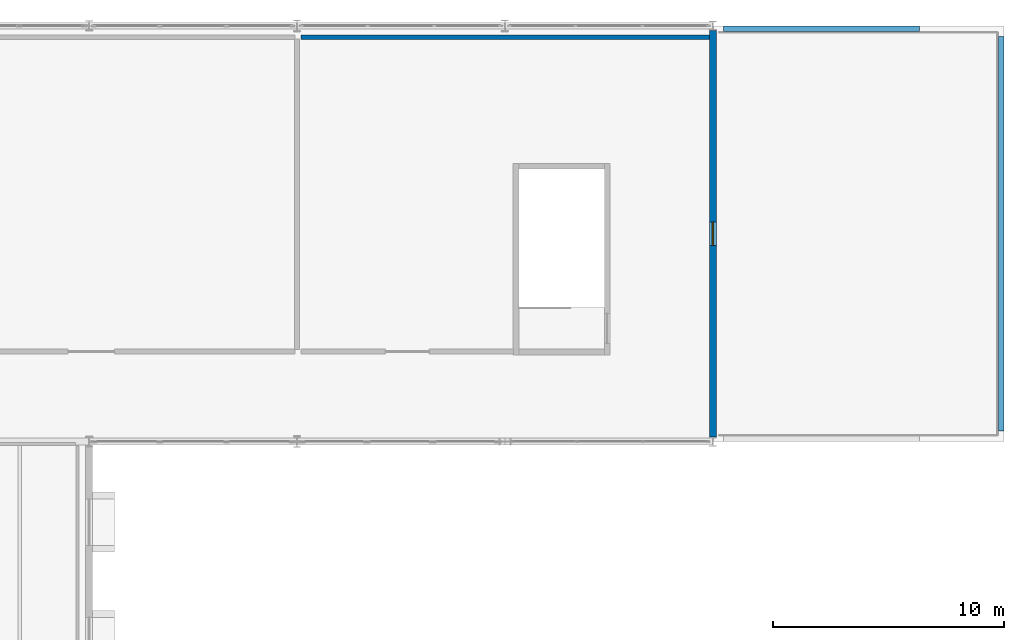
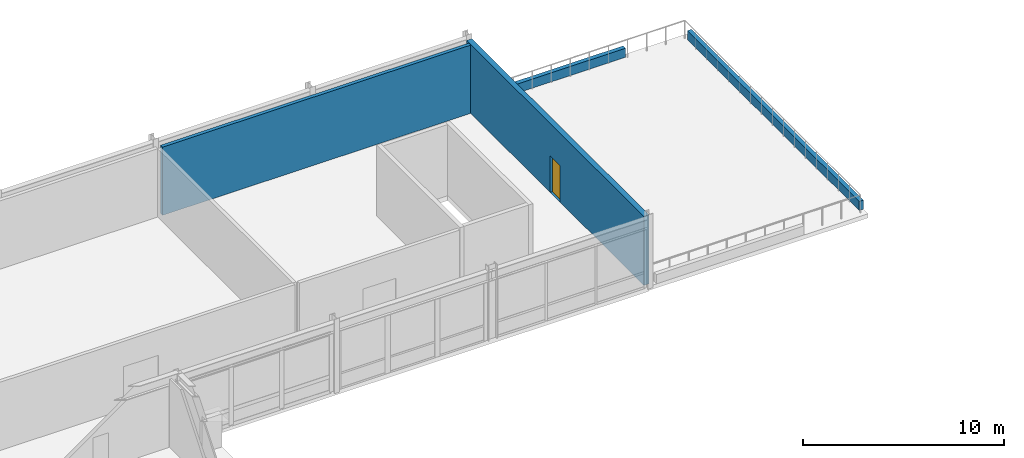
# One storey, part 62 of 67: 4 walls, 1 door, 1 opening.
"""IFC4 building model written with IfcOpenShell, lengths in metres."""

from ifc_helpers import new_model, si_unit, direction, frame, frame_2d, origin, place, context, subcontext, project, spatial, rectangle, extrude, material, layer, layer_set, type_object, element, fill, save


model = new_model("IFC4")

# Units and contexts
model_context = context("Model", 3, precision=1e-05, world=origin(), true_north=direction((0.0, 1.0)))
body_context = subcontext(model_context, "Body", "Model", "MODEL_VIEW")
ifc_project = project(units=[si_unit("LENGTHUNIT", "METRE"), si_unit("AREAUNIT", "SQUARE_METRE"), si_unit("VOLUMEUNIT", "CUBIC_METRE"), si_unit("PLANEANGLEUNIT", "RADIAN"), si_unit("MASSUNIT", "GRAM", prefix="KILO")], contexts=[model_context])

# Site, building, storey
site_placement = place(None, origin())
site = spatial("IfcSite", under=ifc_project, at=site_placement, CompositionType="ELEMENT")
building_placement = place(site_placement, origin())
building = spatial("IfcBuilding", under=site, at=building_placement, Name="Montelvaro Courts of Justice", CompositionType="ELEMENT")
storey_placement = place(building_placement, frame((0.0, 0.0, 18.89990234375)))
storey = spatial("IfcBuildingStorey", under=building, at=storey_placement, Name="L04", CompositionType="ELEMENT", Elevation=18.89990234375)

# Wall
ifc_material_1 = material(Name="Gypsum acoustic double stud with mineral wool")
ifc_layer_1 = layer(ifc_material_1, 0.199951171875)
ifc_layer_set_1 = layer_set([ifc_layer_1], Name="Gypsum acoustic double stud with mineral wool")
wall_type_1 = type_object("IfcWallType", Name="CourtAcousticWall_200", PredefinedType="PARTITIONING", material=ifc_layer_set_1)
wall_1_placement = place(storey_placement, frame((144.179931640625, 95.5, 0.0), z_axis=(0.0, 0.0, 1.0), x_axis=(1.0, 0.0, 0.0)))
element("IfcWall", 1, at=wall_1_placement, inside=storey, type_object=wall_type_1, Name="Interior Partition IW-01 (L04)", PredefinedType="PARTITIONING", context=body_context, shape_type="SweptSolid", body=[
    extrude(rectangle(XDim=17.675048828125, YDim=0.199951171875, at=frame_2d((8.83740234375, 0.0))), origin(), (0.0, 0.0, 1.0), 4.14013671875),
])

# Wall, opening, door
ifc_material_2 = material(Name="White mineral precast concrete C45/55", Category="concrete")
ifc_layer_2 = layer(ifc_material_2, 0.300048828125)
ifc_layer_set_2 = layer_set([ifc_layer_2], Name="White mineral precast concrete C45/55")
wall_type_2 = type_object("IfcWallType", Name="ExtWall_GFRC_300", PredefinedType="SOLIDWALL", material=ifc_layer_set_2)
wall_2_placement = place(storey_placement, frame((162.0, 78.197998046875, 0.0), z_axis=(0.0, 0.0, 1.0), x_axis=(0.0, 1.0, 0.0)))
wall_2 = element("IfcWall", 2, at=wall_2_placement, inside=storey, type_object=wall_type_2, Name="Exterior Facade Wall EW-02 (L04)", PredefinedType="SOLIDWALL", context=body_context, shape_type="SweptSolid", body=[
    extrude(rectangle(XDim=17.60400390625, YDim=0.300048828125, at=frame_2d((8.802001953125, 0.0))), origin(), (0.0, 0.0, 1.0), 4.18017578125),
])
opening_placement = place(wall_2_placement, frame((8.302001953125, 0.0, 0.0)))
opening = element("IfcOpeningElement", 3, at=opening_placement, cuts=wall_2, Name="Opening DT-L04-01", PredefinedType="OPENING", context=body_context, shape_type="SweptSolid", body=[
    extrude(rectangle(XDim=1.0, YDim=2.199951171875, at=frame_2d((0.5, 1.10009765625))), frame((0.0, 0.1650390625, 0.0), z_axis=(0.0, -1.0, 0.0), x_axis=(1.0, 0.0, 0.0)), (0.0, 0.0, 1.0), 0.329833984375),
])
ifc_material_3 = material(Name="Anodised aluminium and laminated safety glass", Category="aluminium")
door_type = type_object("IfcDoorType", Name="ExtDoor_Ter_100x220", OperationType="NOTDEFINED", PredefinedType="DOOR", material=ifc_material_3)
door_placement = place(opening_placement, frame((1.0, 0.0, 0.0), z_axis=(0.0, 0.0, 1.0), x_axis=(-1.0, 0.0, 0.0)))
door = element("IfcDoor", 4, at=door_placement, inside=storey, type_object=door_type, Name="Terrace Access Door DT-L04-01", OperationType="SINGLE_SWING_RIGHT", OverallHeight=2.199951171875, OverallWidth=1.0, PredefinedType="DOOR", context=body_context, shape_type="SweptSolid", body=[
    extrude(rectangle(XDim=1.0, YDim=2.199951171875, at=frame_2d((0.5, 1.10009765625))), frame((0.0, 0.02490234375, 0.0), z_axis=(0.0, -1.0, 0.0), x_axis=(1.0, 0.0, 0.0)), (0.0, 0.0, 1.0), 0.050048828125),
])
fill(opening, door)

# Walls
ifc_layer_3 = layer(ifc_material_2, 0.239990234375)
ifc_layer_set_3 = layer_set([ifc_layer_3], Name="White mineral precast concrete C45/55")
wall_type_3 = type_object("IfcWallType", Name="ParapetWall_240", PredefinedType="PARAPET", material=ifc_layer_set_3)
wall_3_placement = place(storey_placement, frame((174.47998046875, 78.4599609375, 0.0), z_axis=(0.0, 0.0, 1.0), x_axis=(0.0, 1.0, 0.0)))
element("IfcWall", 5, at=wall_3_placement, inside=storey, type_object=wall_type_3, Name="Roof Parapet PW-01 L04-077", PredefinedType="PARAPET", context=body_context, shape_type="SweptSolid", body=[
    extrude(rectangle(XDim=17.080078125, YDim=0.239990234375, at=frame_2d((8.5400390625, 0.0))), origin(), (0.0, 0.0, 1.0), 0.550048828125),
])
wall_4_placement = place(storey_placement, frame((162.4599609375, 95.8798828125, 0.0), z_axis=(0.0, 0.0, 1.0), x_axis=(1.0, 0.0, 0.0)))
element("IfcWall", 6, at=wall_4_placement, inside=storey, type_object=wall_type_3, Name="Roof Parapet PW-01 L04-078", PredefinedType="PARAPET", context=body_context, shape_type="SweptSolid", body=[
    extrude(rectangle(XDim=8.47998046875, YDim=0.239990234375, at=frame_2d((4.239990234375, 0.0))), origin(), (0.0, 0.0, 1.0), 0.550048828125),
])

save(model, "model.ifc")
